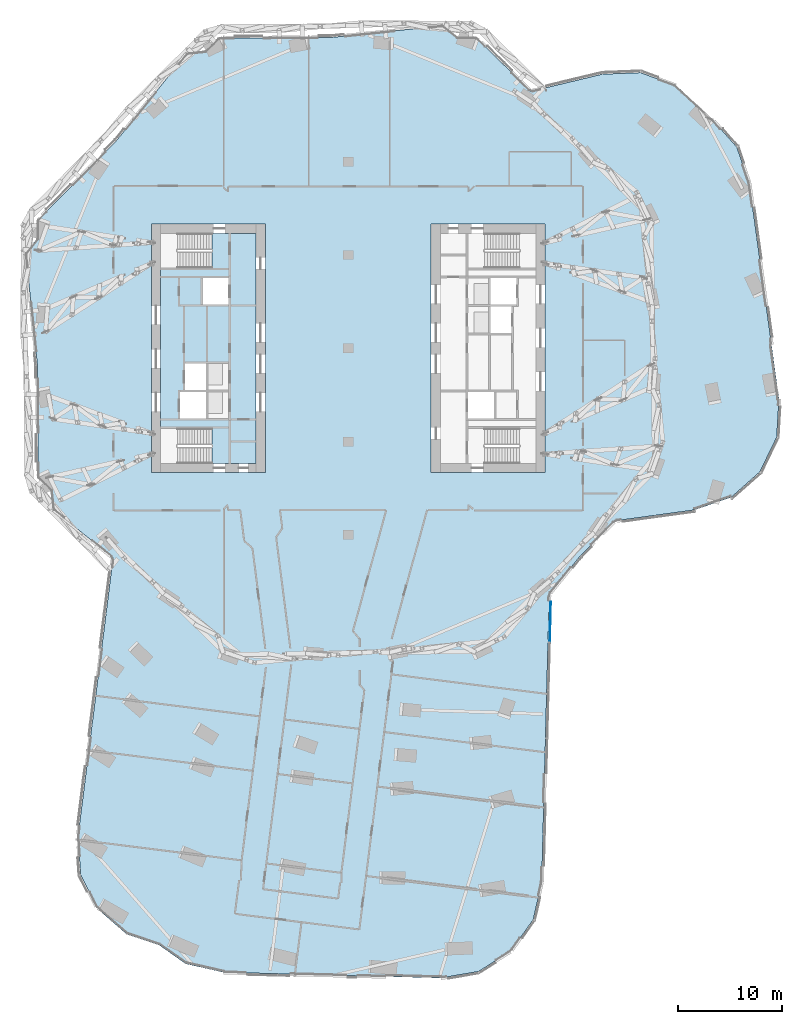
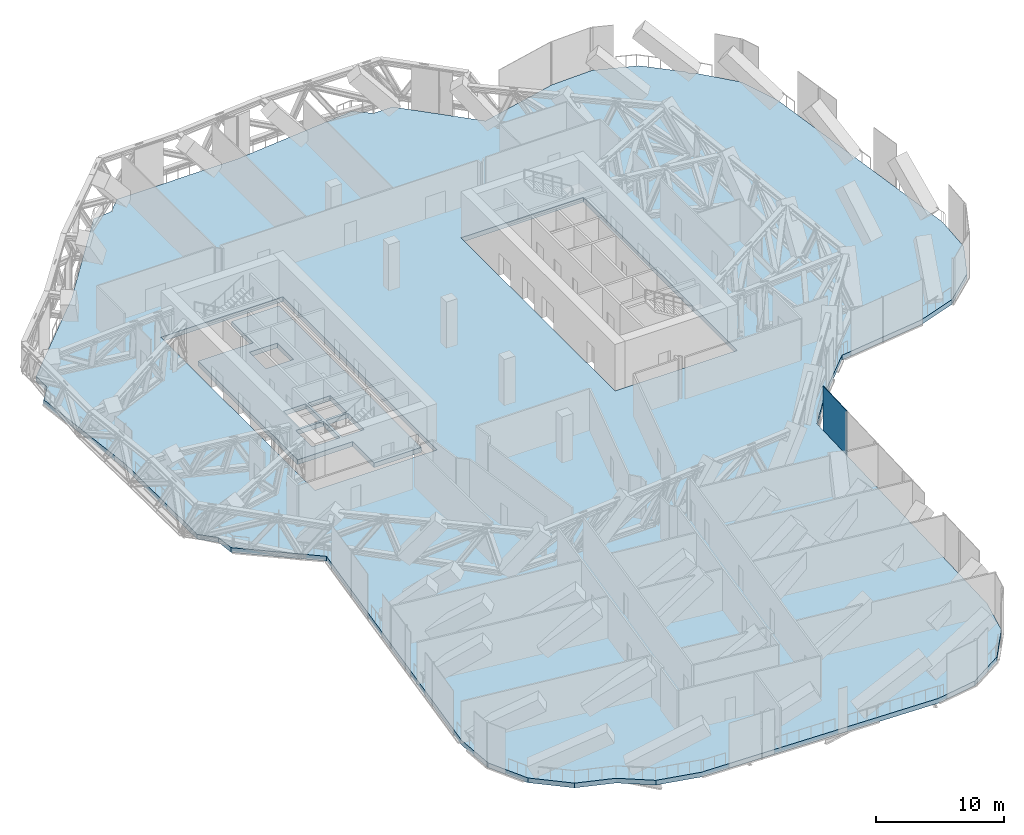
# One storey, part 16 of 27: 2 slabs, 1 plate, 1 element without a shape of its own.
"""IFC4 building model written with IfcOpenShell, lengths in metres."""

from ifc_helpers import new_model, si_unit, direction, frame, origin, origin_2d, place, context, subcontext, project, spatial, polyline, rectangle, outline, extrude, material, layer, layer_set, type_object, element, aggregate, save


model = new_model("IFC4")

# Units and contexts
model_context = context("Model", 3, precision=1e-05, world=origin(), true_north=direction((0.0, 1.0)))
body_context = subcontext(model_context, "Body", "Model", "MODEL_VIEW")
ifc_project = project(units=[si_unit("LENGTHUNIT", "METRE"), si_unit("AREAUNIT", "SQUARE_METRE"), si_unit("VOLUMEUNIT", "CUBIC_METRE"), si_unit("PLANEANGLEUNIT", "RADIAN"), si_unit("MASSUNIT", "GRAM", prefix="KILO")], contexts=[model_context])

# Site, building, storey
site_placement = place(None, origin())
site = spatial("IfcSite", under=ifc_project, at=site_placement, CompositionType="ELEMENT")
building_placement = place(site_placement, origin())
building = spatial("IfcBuilding", under=site, at=building_placement, Name="Orlundy Tower", CompositionType="ELEMENT")
storey_placement = place(building_placement, frame((0.0, 0.0, 206.10009765625)))
storey = spatial("IfcBuildingStorey", under=building, at=storey_placement, Name="L54", CompositionType="ELEMENT", Elevation=206.10009765625)

# Curtain wall, plate
ifc_material_1 = material(Name="Aluminium bronze anodised", Category="aluminium")
curtain_wall_type = type_object("IfcCurtainWallType", Name="CW4 wall", PredefinedType="NOTDEFINED", material=ifc_material_1)
curtain_wall_placement = place(storey_placement, origin())
curtain_wall = element("IfcCurtainWall", 1, at=curtain_wall_placement, inside=storey, type_object=curtain_wall_type, Name="CW4 run 032", PredefinedType="NOTDEFINED")
ifc_material_2 = material(Name="Louvre aluminium bronze anodised", Category="aluminium")
ifc_layer_1 = layer(ifc_material_2, 0.06005859375)
ifc_layer_set_1 = layer_set([ifc_layer_1], Name="CW4 louvre panel 60")
plate_type = type_object("IfcPlateType", Name="CW4 louvre panel 60", PredefinedType="CURTAIN_PANEL", material=ifc_layer_set_1)
plate_placement = place(storey_placement, frame((19.485107421875, -26.403564453125, -0.30029296875), z_axis=(0.0, 0.0, 1.0), x_axis=(-0.026165655813, -0.999657620616, 0.0)))
plate = element("IfcPlate", 2, at=plate_placement, type_object=plate_type, Name="CW4 louvre", PredefinedType="CURTAIN_PANEL", context=body_context, shape_type="SweptSolid", body=[
    extrude(rectangle(XDim=3.863525390625, YDim=0.06005859375, at=origin_2d()), origin(), (0.0, 0.0, 1.0), 4.300048828125),
])
aggregate(curtain_wall, [plate])

# Slabs
ifc_material_3 = material(Name="Concrete C50/60", Category="concrete")
ifc_layer_2 = layer(ifc_material_3, 0.449951171875)
ifc_layer_set_2 = layer_set([ifc_layer_2], Name="Core Floor Slab 450")
slab_type_1 = type_object("IfcSlabType", Name="Core Floor Slab 450", PredefinedType="FLOOR", material=ifc_layer_set_2)
slab_1_placement = place(storey_placement, frame((0.0, 0.0, -0.4501953125)))
element("IfcSlab", 3, at=slab_1_placement, inside=storey, type_object=slab_type_1, Name="Core floor W41", PredefinedType="FLOOR", context=body_context, shape_type="SweptSolid", body=[
    extrude(outline(polyline([(-13.14501953125, 7.75), (-13.14501953125, 11.10009765625), (-8.89990234375, 11.10009765625), (-8.89990234375, -11.10009765625), (-13.14501953125, -11.10009765625), (-13.14501953125, -7.75), (-18.10009765625, -7.75), (-18.10009765625, 7.75), (-13.14501953125, 7.75)]), holes=[polyline([(-13.5400390625, -6.77490234375), (-11.5400390625, -6.77490234375), (-11.5400390625, -4.22509765625), (-13.5400390625, -4.22509765625), (-13.5400390625, -6.77490234375)]), polyline([(-16.239990234375, -4.22509765625), (-16.239990234375, -6.77490234375), (-13.739990234375, -6.77490234375), (-13.739990234375, -4.22509765625), (-16.239990234375, -4.22509765625)]), polyline([(-11.5400390625, -1.47509765625), (-13.5400390625, -1.47509765625), (-13.5400390625, -4.02490234375), (-11.5400390625, -4.02490234375), (-11.5400390625, -1.47509765625)]), polyline([(-13.739990234375, -4.02490234375), (-13.739990234375, -1.47509765625), (-15.739990234375, -1.47509765625), (-15.739990234375, -4.02490234375), (-13.739990234375, -4.02490234375)]), polyline([(-14.0400390625, 4.22509765625), (-11.5400390625, 4.22509765625), (-11.5400390625, 6.77490234375), (-14.0400390625, 6.77490234375), (-14.0400390625, 4.22509765625)])]), origin(), (0.0, 0.0, 1.0), 0.4501953125),
])
ifc_material_4 = material(Name="Concrete C45/55", Category="concrete")
ifc_layer_3 = layer(ifc_material_4, 0.449951171875)
ifc_layer_set_3 = layer_set([ifc_layer_3], Name="PLANT FLOOR SLAB 450 C45/55")
slab_type_2 = type_object("IfcSlabType", Name="PLANT FLOOR SLAB 450 C45/55", PredefinedType="FLOOR", material=ifc_layer_set_3)
slab_2_placement = place(storey_placement, frame((0.0, 0.0, -0.4501953125)))
element("IfcSlab", 4, at=slab_2_placement, inside=storey, type_object=slab_type_2, Name="Floor slab L54", PredefinedType="FLOOR", context=body_context, shape_type="SweptSolid", body=[
    extrude(outline(polyline([(-28.537109375, -15.493896484375), (-28.715087890625, -13.799072265625), (-29.927001953125, -12.60107421875), (-29.990966796875, -1.6630859375), (-31.135009765625, 9.221923828125), (-30.06201171875, 10.547119140625), (-30.072021484375, 12.251953125), (-22.37890625, 20.034912109375), (-15.493896484375, 28.537109375), (-13.799072265625, 28.715087890625), (-12.60107421875, 29.927001953125), (-1.6630859375, 29.990966796875), (9.221923828125, 31.135009765625), (10.547119140625, 30.06201171875), (12.251953125, 30.072021484375), (17.593994140625, 24.7919921875), (24.501953125, 26.450927734375), (28.2060546875, 26.595947265625), (31.68408203125, 25.31298828125), (34.406005859375, 22.797119140625), (34.5849609375, 22.407958984375), (35.01904296875, 22.197021484375), (37.47900390625, 19.425048828125), (38.69091796875, 15.922119140625), (41.552978515625, -4.882080078125), (41.33203125, -8.58203125), (39.7119140625, -11.916015625), (36.93994140625, -14.3759765625), (33.43701171875, -15.587890625), (25.72509765625, -16.64892578125), (22.3779296875, -20.034912109375), (19.385009765625, -23.73095703125), (18.657958984375, -51.506103515625), (17.840087890625, -55.12109375), (15.700927734375, -58.14794921875), (12.56591796875, -60.1259765625), (8.9130859375, -60.75390625), (-12.080078125, -60.2041015625), (-15.695068359375, -59.385986328125), (-18.22802734375, -57.595947265625), (-21.35791015625, -56.553955078125), (-24.158935546875, -54.1259765625), (-25.818115234375, -50.81201171875), (-26.08203125, -47.114013671875), (-22.699951171875, -20.219970703125), (-28.537109375, -15.493896484375)]), holes=[polyline([(-8.0, -12.0), (-8.0, 12.0), (-19.0, 12.0), (-19.0, -12.0), (-8.0, -12.0)]), polyline([(19.0, -12.0), (19.0, 12.0), (8.0, 12.0), (8.0, -12.0), (19.0, -12.0)])]), origin(), (0.0, 0.0, 1.0), 0.4501953125),
])

save(model, "model.ifc")
